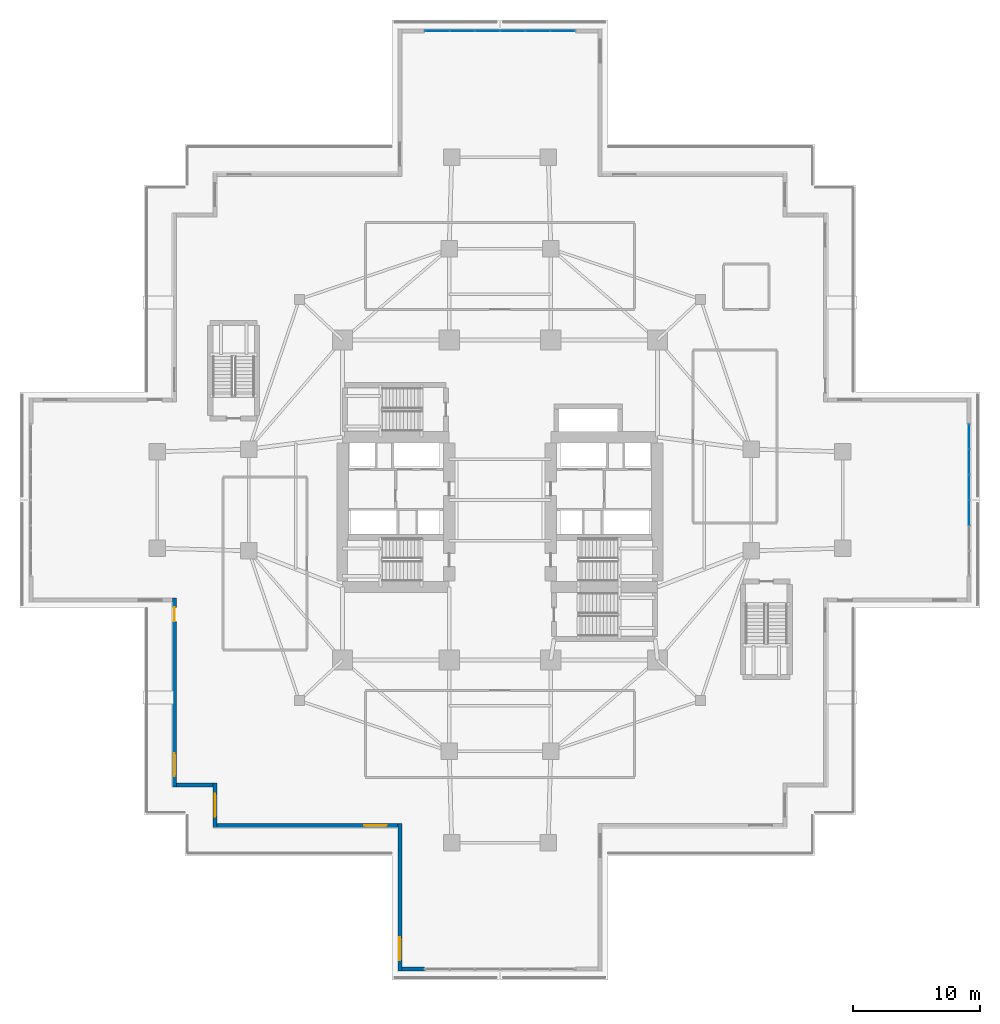
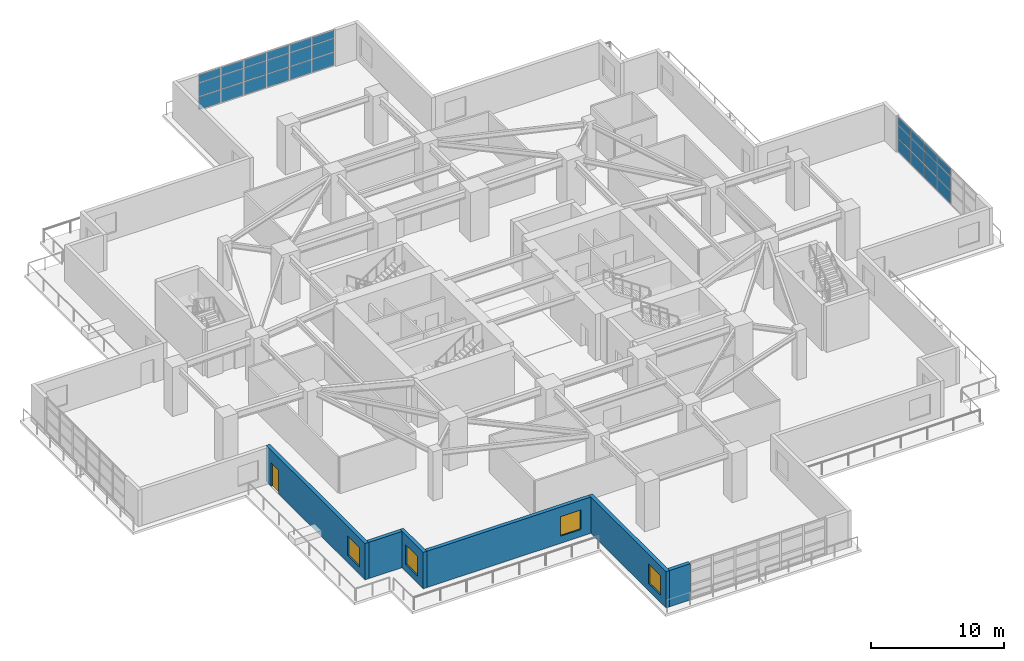
# One storey, part 14 of 24: 30 plates, 6 walls, 4 windows, 1 door, 5 openings, 2 elements without a shape of their own.
"""IFC4 building model written with IfcOpenShell, lengths in metres."""

from ifc_helpers import new_model, si_unit, direction, frame, frame_2d, origin, origin_2d, place, context, subcontext, project, spatial, rectangle, extrude, material, layer, layer_set, type_object, element, fill, aggregate, save


model = new_model("IFC4")

# Units and contexts
model_context = context("Model", 3, precision=1e-05, world=origin(), true_north=direction((0.0, 1.0)))
body_context = subcontext(model_context, "Body", "Model", "MODEL_VIEW")
ifc_project = project(units=[si_unit("LENGTHUNIT", "METRE"), si_unit("AREAUNIT", "SQUARE_METRE"), si_unit("VOLUMEUNIT", "CUBIC_METRE"), si_unit("PLANEANGLEUNIT", "RADIAN"), si_unit("MASSUNIT", "GRAM", prefix="KILO")], contexts=[model_context])

# Site, building, storey
site_placement = place(None, origin())
site = spatial("IfcSite", under=ifc_project, at=site_placement, CompositionType="ELEMENT")
building_placement = place(site_placement, origin())
building = spatial("IfcBuilding", under=site, at=building_placement, Name="Qingluan Cross Belvedere", CompositionType="ELEMENT")
storey_placement = place(building_placement, frame((0.0, 0.0, 14.699951171875)))
storey = spatial("IfcBuildingStorey", under=building, at=storey_placement, Name="L04", CompositionType="ELEMENT", Elevation=14.699951171875)

# Curtain wall, plates
ifc_material_1 = material(Name="Thermally broken aluminium and Low-E glass", Category="aluminium")
ifc_layer_1 = layer(ifc_material_1, 0.219970703125, Name="UnitisedCW_BallroomFoyer")
ifc_layer_set_1 = layer_set([ifc_layer_1], Name="Thermally broken aluminium and Low-E glass")
curtain_wall_type = type_object("IfcCurtainWallType", Name="UnitisedCW_BallroomFoyer", PredefinedType="USERDEFINED", material=ifc_layer_set_1)
curtain_wall_1_placement = place(storey_placement, origin())
curtain_wall_1 = element("IfcCurtainWall", 1, at=curtain_wall_1_placement, inside=storey, type_object=curtain_wall_type, Name="UnitisedCW_BallroomFoyer run env:cw:L04:N", ObjectType="UNITISED CURTAIN WALL", PredefinedType="USERDEFINED")
ifc_material_2 = material(Name="Ceramic-fritted insulated spandrel glass", Category="glass")
ifc_layer_2 = layer(ifc_material_2, 0.0439453125, Name="CWSpandrelPanel_44")
ifc_layer_set_2 = layer_set([ifc_layer_2], Name="Ceramic-fritted insulated spandrel glass")
plate_type = type_object("IfcPlateType", Name="CWSpandrelPanel_44", PredefinedType="CURTAIN_PANEL", material=ifc_layer_set_2)
plate_1_placement = place(storey_placement, frame((-4.9267578125, 36.93994140625, 0.06005859375), z_axis=(0.0, 0.0, 1.0), x_axis=(1.0, 0.0, 0.0)))
plate_1 = element("IfcPlate", 2, at=plate_1_placement, type_object=plate_type, Name="CW-P2 panel 1.1", PredefinedType="CURTAIN_PANEL", context=body_context, shape_type="SweptSolid", body=[
    extrude(rectangle(XDim=1.88671875, YDim=0.028076171875, at=origin_2d()), origin(), (0.0, 0.0, 1.0), 1.175048828125),
])
plate_2_placement = place(storey_placement, frame((-4.9267578125, 36.93994140625, 1.294921875), z_axis=(0.0, 0.0, 1.0), x_axis=(1.0, 0.0, 0.0)))
plate_2 = element("IfcPlate", 3, at=plate_2_placement, type_object=plate_type, Name="CW-P2 panel 1.2", PredefinedType="CURTAIN_PANEL", context=body_context, shape_type="SweptSolid", body=[
    extrude(rectangle(XDim=1.88671875, YDim=0.028076171875, at=origin_2d()), origin(), (0.0, 0.0, 1.0), 1.2060546875),
])
plate_3_placement = place(storey_placement, frame((-4.9267578125, 36.93994140625, 2.56103515625), z_axis=(0.0, 0.0, 1.0), x_axis=(1.0, 0.0, 0.0)))
plate_3 = element("IfcPlate", 4, at=plate_3_placement, type_object=plate_type, Name="CW-P2 panel 1.3", PredefinedType="CURTAIN_PANEL", context=body_context, shape_type="SweptSolid", body=[
    extrude(rectangle(XDim=1.88671875, YDim=0.028076171875, at=origin_2d()), origin(), (0.0, 0.0, 1.0), 0.708984375),
])
plate_4_placement = place(storey_placement, frame((-2.965087890625, 36.93994140625, 0.06005859375), z_axis=(0.0, 0.0, 1.0), x_axis=(1.0, 0.0, 0.0)))
plate_4 = element("IfcPlate", 5, at=plate_4_placement, type_object=plate_type, Name="CW-P2 panel 2.1", PredefinedType="CURTAIN_PANEL", context=body_context, shape_type="SweptSolid", body=[
    extrude(rectangle(XDim=1.916748046875, YDim=0.028076171875, at=origin_2d()), origin(), (0.0, 0.0, 1.0), 1.175048828125),
])
plate_5_placement = place(storey_placement, frame((-2.965087890625, 36.93994140625, 1.294921875), z_axis=(0.0, 0.0, 1.0), x_axis=(1.0, 0.0, 0.0)))
plate_5 = element("IfcPlate", 6, at=plate_5_placement, type_object=plate_type, Name="CW-P2 panel 2.2", PredefinedType="CURTAIN_PANEL", context=body_context, shape_type="SweptSolid", body=[
    extrude(rectangle(XDim=1.916748046875, YDim=0.028076171875, at=origin_2d()), origin(), (0.0, 0.0, 1.0), 1.2060546875),
])
plate_6_placement = place(storey_placement, frame((-2.965087890625, 36.93994140625, 2.56103515625), z_axis=(0.0, 0.0, 1.0), x_axis=(1.0, 0.0, 0.0)))
plate_6 = element("IfcPlate", 7, at=plate_6_placement, type_object=plate_type, Name="CW-P2 panel 2.3", PredefinedType="CURTAIN_PANEL", context=body_context, shape_type="SweptSolid", body=[
    extrude(rectangle(XDim=1.916748046875, YDim=0.028076171875, at=origin_2d()), origin(), (0.0, 0.0, 1.0), 0.708984375),
])
plate_7_placement = place(storey_placement, frame((-0.98828125, 36.93994140625, 0.06005859375), z_axis=(0.0, 0.0, 1.0), x_axis=(1.0, 0.0, 0.0)))
plate_7 = element("IfcPlate", 8, at=plate_7_placement, type_object=plate_type, Name="CW-P2 panel 3.1", PredefinedType="CURTAIN_PANEL", context=body_context, shape_type="SweptSolid", body=[
    extrude(rectangle(XDim=1.916748046875, YDim=0.028076171875, at=origin_2d()), origin(), (0.0, 0.0, 1.0), 1.175048828125),
])
plate_8_placement = place(storey_placement, frame((-0.98828125, 36.93994140625, 1.294921875), z_axis=(0.0, 0.0, 1.0), x_axis=(1.0, 0.0, 0.0)))
plate_8 = element("IfcPlate", 9, at=plate_8_placement, type_object=plate_type, Name="CW-P2 panel 3.2", PredefinedType="CURTAIN_PANEL", context=body_context, shape_type="SweptSolid", body=[
    extrude(rectangle(XDim=1.916748046875, YDim=0.028076171875, at=origin_2d()), origin(), (0.0, 0.0, 1.0), 1.2060546875),
])
plate_9_placement = place(storey_placement, frame((-0.98828125, 36.93994140625, 2.56103515625), z_axis=(0.0, 0.0, 1.0), x_axis=(1.0, 0.0, 0.0)))
plate_9 = element("IfcPlate", 10, at=plate_9_placement, type_object=plate_type, Name="CW-P2 panel 3.3", PredefinedType="CURTAIN_PANEL", context=body_context, shape_type="SweptSolid", body=[
    extrude(rectangle(XDim=1.916748046875, YDim=0.028076171875, at=origin_2d()), origin(), (0.0, 0.0, 1.0), 0.708984375),
])
plate_10_placement = place(storey_placement, frame((0.98828125, 36.93994140625, 0.06005859375), z_axis=(0.0, 0.0, 1.0), x_axis=(1.0, 0.0, 0.0)))
plate_10 = element("IfcPlate", 11, at=plate_10_placement, type_object=plate_type, Name="CW-P2 panel 4.1", PredefinedType="CURTAIN_PANEL", context=body_context, shape_type="SweptSolid", body=[
    extrude(rectangle(XDim=1.916748046875, YDim=0.028076171875, at=origin_2d()), origin(), (0.0, 0.0, 1.0), 1.175048828125),
])
plate_11_placement = place(storey_placement, frame((0.98828125, 36.93994140625, 1.294921875), z_axis=(0.0, 0.0, 1.0), x_axis=(1.0, 0.0, 0.0)))
plate_11 = element("IfcPlate", 12, at=plate_11_placement, type_object=plate_type, Name="CW-P2 panel 4.2", PredefinedType="CURTAIN_PANEL", context=body_context, shape_type="SweptSolid", body=[
    extrude(rectangle(XDim=1.916748046875, YDim=0.028076171875, at=origin_2d()), origin(), (0.0, 0.0, 1.0), 1.2060546875),
])
plate_12_placement = place(storey_placement, frame((0.98828125, 36.93994140625, 2.56103515625), z_axis=(0.0, 0.0, 1.0), x_axis=(1.0, 0.0, 0.0)))
plate_12 = element("IfcPlate", 13, at=plate_12_placement, type_object=plate_type, Name="CW-P2 panel 4.3", PredefinedType="CURTAIN_PANEL", context=body_context, shape_type="SweptSolid", body=[
    extrude(rectangle(XDim=1.916748046875, YDim=0.028076171875, at=origin_2d()), origin(), (0.0, 0.0, 1.0), 0.708984375),
])
plate_13_placement = place(storey_placement, frame((2.965087890625, 36.93994140625, 0.06005859375), z_axis=(0.0, 0.0, 1.0), x_axis=(1.0, 0.0, 0.0)))
plate_13 = element("IfcPlate", 14, at=plate_13_placement, type_object=plate_type, Name="CW-P2 panel 5.1", PredefinedType="CURTAIN_PANEL", context=body_context, shape_type="SweptSolid", body=[
    extrude(rectangle(XDim=1.916748046875, YDim=0.028076171875, at=origin_2d()), origin(), (0.0, 0.0, 1.0), 1.175048828125),
])
plate_14_placement = place(storey_placement, frame((2.965087890625, 36.93994140625, 1.294921875), z_axis=(0.0, 0.0, 1.0), x_axis=(1.0, 0.0, 0.0)))
plate_14 = element("IfcPlate", 15, at=plate_14_placement, type_object=plate_type, Name="CW-P2 panel 5.2", PredefinedType="CURTAIN_PANEL", context=body_context, shape_type="SweptSolid", body=[
    extrude(rectangle(XDim=1.916748046875, YDim=0.028076171875, at=origin_2d()), origin(), (0.0, 0.0, 1.0), 1.2060546875),
])
plate_15_placement = place(storey_placement, frame((2.965087890625, 36.93994140625, 2.56103515625), z_axis=(0.0, 0.0, 1.0), x_axis=(1.0, 0.0, 0.0)))
plate_15 = element("IfcPlate", 16, at=plate_15_placement, type_object=plate_type, Name="CW-P2 panel 5.3", PredefinedType="CURTAIN_PANEL", context=body_context, shape_type="SweptSolid", body=[
    extrude(rectangle(XDim=1.916748046875, YDim=0.028076171875, at=origin_2d()), origin(), (0.0, 0.0, 1.0), 0.708984375),
])
plate_16_placement = place(storey_placement, frame((4.9267578125, 36.93994140625, 0.06005859375), z_axis=(0.0, 0.0, 1.0), x_axis=(1.0, 0.0, 0.0)))
plate_16 = element("IfcPlate", 17, at=plate_16_placement, type_object=plate_type, Name="CW-P2 panel 6.1", PredefinedType="CURTAIN_PANEL", context=body_context, shape_type="SweptSolid", body=[
    extrude(rectangle(XDim=1.88671875, YDim=0.028076171875, at=origin_2d()), origin(), (0.0, 0.0, 1.0), 1.175048828125),
])
plate_17_placement = place(storey_placement, frame((4.9267578125, 36.93994140625, 1.294921875), z_axis=(0.0, 0.0, 1.0), x_axis=(1.0, 0.0, 0.0)))
plate_17 = element("IfcPlate", 18, at=plate_17_placement, type_object=plate_type, Name="CW-P2 panel 6.2", PredefinedType="CURTAIN_PANEL", context=body_context, shape_type="SweptSolid", body=[
    extrude(rectangle(XDim=1.88671875, YDim=0.028076171875, at=origin_2d()), origin(), (0.0, 0.0, 1.0), 1.2060546875),
])
plate_18_placement = place(storey_placement, frame((4.9267578125, 36.93994140625, 2.56103515625), z_axis=(0.0, 0.0, 1.0), x_axis=(1.0, 0.0, 0.0)))
plate_18 = element("IfcPlate", 19, at=plate_18_placement, type_object=plate_type, Name="CW-P2 panel 6.3", PredefinedType="CURTAIN_PANEL", context=body_context, shape_type="SweptSolid", body=[
    extrude(rectangle(XDim=1.88671875, YDim=0.028076171875, at=origin_2d()), origin(), (0.0, 0.0, 1.0), 0.708984375),
])
aggregate(curtain_wall_1, [plate_1, plate_2, plate_3, plate_4, plate_5, plate_6, plate_7, plate_8, plate_9, plate_10, plate_11, plate_12, plate_13, plate_14, plate_15, plate_16, plate_17, plate_18])

curtain_wall_2_placement = place(storey_placement, origin())
curtain_wall_2 = element("IfcCurtainWall", 20, at=curtain_wall_2_placement, inside=storey, type_object=curtain_wall_type, Name="UnitisedCW_BallroomFoyer run env:cw:L04:E", ObjectType="UNITISED CURTAIN WALL", PredefinedType="USERDEFINED")
plate_19_placement = place(storey_placement, frame((36.93994140625, 4.985107421875, 0.06005859375), z_axis=(0.0, 0.0, 1.0), x_axis=(0.0, -1.0, 0.0)))
plate_19 = element("IfcPlate", 21, at=plate_19_placement, type_object=plate_type, Name="CW-P2 panel 1.1", PredefinedType="CURTAIN_PANEL", context=body_context, shape_type="SweptSolid", body=[
    extrude(rectangle(XDim=1.909912109375, YDim=0.028076171875, at=origin_2d()), origin(), (0.0, 0.0, 1.0), 1.175048828125),
])
plate_20_placement = place(storey_placement, frame((36.93994140625, 4.985107421875, 1.294921875), z_axis=(0.0, 0.0, 1.0), x_axis=(0.0, -1.0, 0.0)))
plate_20 = element("IfcPlate", 22, at=plate_20_placement, type_object=plate_type, Name="CW-P2 panel 1.2", PredefinedType="CURTAIN_PANEL", context=body_context, shape_type="SweptSolid", body=[
    extrude(rectangle(XDim=1.909912109375, YDim=0.028076171875, at=origin_2d()), origin(), (0.0, 0.0, 1.0), 1.2060546875),
])
plate_21_placement = place(storey_placement, frame((36.93994140625, 4.985107421875, 2.56103515625), z_axis=(0.0, 0.0, 1.0), x_axis=(0.0, -1.0, 0.0)))
plate_21 = element("IfcPlate", 23, at=plate_21_placement, type_object=plate_type, Name="CW-P2 panel 1.3", PredefinedType="CURTAIN_PANEL", context=body_context, shape_type="SweptSolid", body=[
    extrude(rectangle(XDim=1.909912109375, YDim=0.028076171875, at=origin_2d()), origin(), (0.0, 0.0, 1.0), 0.708984375),
])
plate_22_placement = place(storey_placement, frame((36.93994140625, 3.0, 0.06005859375), z_axis=(0.0, 0.0, 1.0), x_axis=(0.0, -1.0, 0.0)))
plate_22 = element("IfcPlate", 24, at=plate_22_placement, type_object=plate_type, Name="CW-P2 panel 2.1", PredefinedType="CURTAIN_PANEL", context=body_context, shape_type="SweptSolid", body=[
    extrude(rectangle(XDim=1.93994140625, YDim=0.028076171875, at=origin_2d()), origin(), (0.0, 0.0, 1.0), 1.175048828125),
])
plate_23_placement = place(storey_placement, frame((36.93994140625, 3.0, 1.294921875), z_axis=(0.0, 0.0, 1.0), x_axis=(0.0, -1.0, 0.0)))
plate_23 = element("IfcPlate", 25, at=plate_23_placement, type_object=plate_type, Name="CW-P2 panel 2.2", PredefinedType="CURTAIN_PANEL", context=body_context, shape_type="SweptSolid", body=[
    extrude(rectangle(XDim=1.93994140625, YDim=0.028076171875, at=origin_2d()), origin(), (0.0, 0.0, 1.0), 1.2060546875),
])
plate_24_placement = place(storey_placement, frame((36.93994140625, 3.0, 2.56103515625), z_axis=(0.0, 0.0, 1.0), x_axis=(0.0, -1.0, 0.0)))
plate_24 = element("IfcPlate", 26, at=plate_24_placement, type_object=plate_type, Name="CW-P2 panel 2.3", PredefinedType="CURTAIN_PANEL", context=body_context, shape_type="SweptSolid", body=[
    extrude(rectangle(XDim=1.93994140625, YDim=0.028076171875, at=origin_2d()), origin(), (0.0, 0.0, 1.0), 0.708984375),
])
plate_25_placement = place(storey_placement, frame((36.93994140625, 1.0, 0.06005859375), z_axis=(0.0, 0.0, 1.0), x_axis=(0.0, -1.0, 0.0)))
plate_25 = element("IfcPlate", 27, at=plate_25_placement, type_object=plate_type, Name="CW-P2 panel 3.1", PredefinedType="CURTAIN_PANEL", context=body_context, shape_type="SweptSolid", body=[
    extrude(rectangle(XDim=1.93994140625, YDim=0.028076171875, at=origin_2d()), origin(), (0.0, 0.0, 1.0), 1.175048828125),
])
plate_26_placement = place(storey_placement, frame((36.93994140625, 1.0, 1.294921875), z_axis=(0.0, 0.0, 1.0), x_axis=(0.0, -1.0, 0.0)))
plate_26 = element("IfcPlate", 28, at=plate_26_placement, type_object=plate_type, Name="CW-P2 panel 3.2", PredefinedType="CURTAIN_PANEL", context=body_context, shape_type="SweptSolid", body=[
    extrude(rectangle(XDim=1.93994140625, YDim=0.028076171875, at=origin_2d()), origin(), (0.0, 0.0, 1.0), 1.2060546875),
])
plate_27_placement = place(storey_placement, frame((36.93994140625, 1.0, 2.56103515625), z_axis=(0.0, 0.0, 1.0), x_axis=(0.0, -1.0, 0.0)))
plate_27 = element("IfcPlate", 29, at=plate_27_placement, type_object=plate_type, Name="CW-P2 panel 3.3", PredefinedType="CURTAIN_PANEL", context=body_context, shape_type="SweptSolid", body=[
    extrude(rectangle(XDim=1.93994140625, YDim=0.028076171875, at=origin_2d()), origin(), (0.0, 0.0, 1.0), 0.708984375),
])
plate_28_placement = place(storey_placement, frame((36.93994140625, -1.0, 0.06005859375), z_axis=(0.0, 0.0, 1.0), x_axis=(0.0, -1.0, 0.0)))
plate_28 = element("IfcPlate", 30, at=plate_28_placement, type_object=plate_type, Name="CW-P2 panel 4.1", PredefinedType="CURTAIN_PANEL", context=body_context, shape_type="SweptSolid", body=[
    extrude(rectangle(XDim=1.93994140625, YDim=0.028076171875, at=origin_2d()), origin(), (0.0, 0.0, 1.0), 1.175048828125),
])
plate_29_placement = place(storey_placement, frame((36.93994140625, -1.0, 1.294921875), z_axis=(0.0, 0.0, 1.0), x_axis=(0.0, -1.0, 0.0)))
plate_29 = element("IfcPlate", 31, at=plate_29_placement, type_object=plate_type, Name="CW-P2 panel 4.2", PredefinedType="CURTAIN_PANEL", context=body_context, shape_type="SweptSolid", body=[
    extrude(rectangle(XDim=1.93994140625, YDim=0.028076171875, at=origin_2d()), origin(), (0.0, 0.0, 1.0), 1.2060546875),
])
plate_30_placement = place(storey_placement, frame((36.93994140625, -1.0, 2.56103515625), z_axis=(0.0, 0.0, 1.0), x_axis=(0.0, -1.0, 0.0)))
plate_30 = element("IfcPlate", 32, at=plate_30_placement, type_object=plate_type, Name="CW-P2 panel 4.3", PredefinedType="CURTAIN_PANEL", context=body_context, shape_type="SweptSolid", body=[
    extrude(rectangle(XDim=1.93994140625, YDim=0.028076171875, at=origin_2d()), origin(), (0.0, 0.0, 1.0), 0.708984375),
])
aggregate(curtain_wall_2, [plate_19, plate_20, plate_21, plate_22, plate_23, plate_24, plate_25, plate_26, plate_27, plate_28, plate_29, plate_30])

# Wall
ifc_material_3 = material(Name="Precast concrete C45", Category="concrete")
ifc_layer_3 = layer(ifc_material_3, 0.320068359375, Name="PrecastPodiumWall_320")
ifc_layer_set_3 = layer_set([ifc_layer_3], Name="Precast concrete C45")
wall_type = type_object("IfcWallType", Name="PrecastPodiumWall_320", PredefinedType="STANDARD", material=ifc_layer_set_3)
wall_1_placement = place(storey_placement, frame((-5.929931640625, -36.93994140625, 0.0), z_axis=(0.0, 0.0, 1.0), x_axis=(-1.0, 0.0, 0.0)))
element("IfcWall", 33, at=wall_1_placement, inside=storey, type_object=wall_type, Name="Podium portal pier L04-P1JB", PredefinedType="STANDARD", context=body_context, shape_type="SweptSolid", body=[
    extrude(rectangle(XDim=1.800048828125, YDim=0.320068359375, at=frame_2d((0.89990234375, 0.0))), origin(), (0.0, 0.0, 1.0), 3.330078125),
])

# Wall, opening, window
wall_2_placement = place(storey_placement, frame((-7.889892578125, -37.10009765625, 0.0), z_axis=(0.0, 0.0, 1.0), x_axis=(0.0, 1.0, 0.0)))
wall_2 = element("IfcWall", 34, at=wall_2_placement, inside=storey, type_object=wall_type, Name="Podium precast facade wall L04-S5", PredefinedType="STANDARD", context=body_context, shape_type="SweptSolid", body=[
    extrude(rectangle(XDim=11.6201171875, YDim=0.320068359375, at=frame_2d((5.81005859375, 0.0))), origin(), (0.0, 0.0, 1.0), 3.330078125),
])
opening_1_placement = place(wall_2_placement, frame((0.85009765625, 0.0, 0.64990234375)))
opening_1 = element("IfcOpeningElement", 35, at=opening_1_placement, cuts=wall_2, Name="Opening W-06", PredefinedType="OPENING", context=body_context, shape_type="SweptSolid", body=[
    extrude(rectangle(XDim=1.800048828125, YDim=1.800048828125, at=frame_2d((0.89990234375, 0.89990234375))), frame((0.0, 0.169921875, 0.0), z_axis=(0.0, -1.0, 0.0), x_axis=(1.0, 0.0, 0.0)), (0.0, 0.0, 1.0), 0.340087890625),
])
ifc_material_4 = material(Name="Thermally broken triple Low-E glass in aluminium frame", Category="aluminium")
window_type = type_object("IfcWindowType", Name="PodiumGalleryWin_1800x1800", PartitioningType="SINGLE_PANEL", PredefinedType="WINDOW", material=ifc_material_4)
window_1_placement = place(opening_1_placement, origin())
window_1 = element("IfcWindow", 36, at=window_1_placement, inside=storey, type_object=window_type, Name="Podium gallery window L04-S5", OverallHeight=1.800048828125, OverallWidth=1.800048828125, PartitioningType="SINGLE_PANEL", PredefinedType="WINDOW", context=body_context, shape_type="SweptSolid", body=[
    extrude(rectangle(XDim=1.800048828125, YDim=1.800048828125, at=frame_2d((0.89990234375, 0.89990234375))), frame((0.0, 0.030029296875, 0.0), z_axis=(0.0, -1.0, 0.0), x_axis=(1.0, 0.0, 0.0)), (0.0, 0.0, 1.0), 0.06005859375),
])
fill(opening_1, window_1)

wall_3_placement = place(storey_placement, frame((-8.050048828125, -25.639892578125, 0.0), z_axis=(0.0, 0.0, 1.0), x_axis=(-1.0, 0.0, 0.0)))
wall_3 = element("IfcWall", 37, at=wall_3_placement, inside=storey, type_object=wall_type, Name="Podium precast facade wall L04-S6", PredefinedType="STANDARD", context=body_context, shape_type="SweptSolid", body=[
    extrude(rectangle(XDim=14.22998046875, YDim=0.320068359375, at=frame_2d((7.114990234375, 0.0))), origin(), (0.0, 0.0, 1.0), 3.330078125),
])
opening_2_placement = place(wall_3_placement, frame((0.85009765625, 0.0, 0.64990234375)))
opening_2 = element("IfcOpeningElement", 38, at=opening_2_placement, cuts=wall_3, Name="Opening W-06", PredefinedType="OPENING", context=body_context, shape_type="SweptSolid", body=[
    extrude(rectangle(XDim=1.800048828125, YDim=1.800048828125, at=frame_2d((0.89990234375, 0.89990234375))), frame((0.0, 0.169921875, 0.0), z_axis=(0.0, -1.0, 0.0), x_axis=(1.0, 0.0, 0.0)), (0.0, 0.0, 1.0), 0.340087890625),
])
window_2_placement = place(opening_2_placement, origin())
window_2 = element("IfcWindow", 39, at=window_2_placement, inside=storey, type_object=window_type, Name="Podium gallery window L04-S6", OverallHeight=1.800048828125, OverallWidth=1.800048828125, PartitioningType="SINGLE_PANEL", PredefinedType="WINDOW", context=body_context, shape_type="SweptSolid", body=[
    extrude(rectangle(XDim=1.800048828125, YDim=1.800048828125, at=frame_2d((0.89990234375, 0.89990234375))), frame((0.0, 0.030029296875, 0.0), z_axis=(0.0, -1.0, 0.0), x_axis=(1.0, 0.0, 0.0)), (0.0, 0.0, 1.0), 0.06005859375),
])
fill(opening_2, window_2)

wall_4_placement = place(storey_placement, frame((-22.43994140625, -25.800048828125, 0.0), z_axis=(0.0, 0.0, 1.0), x_axis=(0.0, 1.0, 0.0)))
wall_4 = element("IfcWall", 40, at=wall_4_placement, inside=storey, type_object=wall_type, Name="Podium precast facade wall L04-S7", PredefinedType="STANDARD", context=body_context, shape_type="SweptSolid", body=[
    extrude(rectangle(XDim=3.52001953125, YDim=0.320068359375, at=frame_2d((1.760009765625, 0.0))), origin(), (0.0, 0.0, 1.0), 3.330078125),
])
opening_3_placement = place(wall_4_placement, frame((0.85009765625, 0.0, 0.64990234375)))
opening_3 = element("IfcOpeningElement", 41, at=opening_3_placement, cuts=wall_4, Name="Opening W-06", PredefinedType="OPENING", context=body_context, shape_type="SweptSolid", body=[
    extrude(rectangle(XDim=1.800048828125, YDim=1.800048828125, at=frame_2d((0.89990234375, 0.89990234375))), frame((0.0, 0.169921875, 0.0), z_axis=(0.0, -1.0, 0.0), x_axis=(1.0, 0.0, 0.0)), (0.0, 0.0, 1.0), 0.340087890625),
])
window_3_placement = place(opening_3_placement, origin())
window_3 = element("IfcWindow", 42, at=window_3_placement, inside=storey, type_object=window_type, Name="Podium gallery window L04-S7", OverallHeight=1.800048828125, OverallWidth=1.800048828125, PartitioningType="SINGLE_PANEL", PredefinedType="WINDOW", context=body_context, shape_type="SweptSolid", body=[
    extrude(rectangle(XDim=1.800048828125, YDim=1.800048828125, at=frame_2d((0.89990234375, 0.89990234375))), frame((0.0, 0.030029296875, 0.0), z_axis=(0.0, -1.0, 0.0), x_axis=(1.0, 0.0, 0.0)), (0.0, 0.0, 1.0), 0.06005859375),
])
fill(opening_3, window_3)

# Wall
wall_5_placement = place(storey_placement, frame((-22.60009765625, -22.43994140625, 0.0), z_axis=(0.0, 0.0, 1.0), x_axis=(-1.0, 0.0, 0.0)))
element("IfcWall", 43, at=wall_5_placement, inside=storey, type_object=wall_type, Name="Podium precast facade wall L04-S8", PredefinedType="STANDARD", context=body_context, shape_type="SweptSolid", body=[
    extrude(rectangle(XDim=2.8798828125, YDim=0.320068359375, at=frame_2d((1.43994140625, 0.0))), origin(), (0.0, 0.0, 1.0), 3.330078125),
])

# Wall, openings, window, door
wall_6_placement = place(storey_placement, frame((-25.639892578125, -22.60009765625, 0.0), z_axis=(0.0, 0.0, 1.0), x_axis=(0.0, 1.0, 0.0)))
wall_6 = element("IfcWall", 44, at=wall_6_placement, inside=storey, type_object=wall_type, Name="Podium precast facade wall L04-S9", PredefinedType="STANDARD", context=body_context, shape_type="SweptSolid", body=[
    extrude(rectangle(XDim=14.8701171875, YDim=0.320068359375, at=frame_2d((7.43505859375, 0.0))), origin(), (0.0, 0.0, 1.0), 3.330078125),
])
opening_4_placement = place(wall_6_placement, frame((0.85009765625, 0.0, 0.64990234375)))
opening_4 = element("IfcOpeningElement", 45, at=opening_4_placement, cuts=wall_6, Name="Opening W-06", PredefinedType="OPENING", context=body_context, shape_type="SweptSolid", body=[
    extrude(rectangle(XDim=1.800048828125, YDim=1.800048828125, at=frame_2d((0.89990234375, 0.89990234375))), frame((0.0, 0.169921875, 0.0), z_axis=(0.0, -1.0, 0.0), x_axis=(1.0, 0.0, 0.0)), (0.0, 0.0, 1.0), 0.340087890625),
])
opening_5_placement = place(wall_6_placement, frame((13.050048828125, 0.0, 0.0)))
opening_5 = element("IfcOpeningElement", 46, at=opening_5_placement, cuts=wall_6, Name="Opening TD-11", PredefinedType="OPENING", context=body_context, shape_type="SweptSolid", body=[
    extrude(rectangle(XDim=1.10009765625, YDim=2.14990234375, at=frame_2d((0.550048828125, 1.074951171875))), frame((0.0, 0.169921875, 0.0), z_axis=(0.0, -1.0, 0.0), x_axis=(1.0, 0.0, 0.0)), (0.0, 0.0, 1.0), 0.340087890625),
])
window_4_placement = place(opening_4_placement, origin())
window_4 = element("IfcWindow", 47, at=window_4_placement, inside=storey, type_object=window_type, Name="Podium gallery window L04-S9", OverallHeight=1.800048828125, OverallWidth=1.800048828125, PartitioningType="SINGLE_PANEL", PredefinedType="WINDOW", context=body_context, shape_type="SweptSolid", body=[
    extrude(rectangle(XDim=1.800048828125, YDim=1.800048828125, at=frame_2d((0.89990234375, 0.89990234375))), frame((0.0, 0.030029296875, 0.0), z_axis=(0.0, -1.0, 0.0), x_axis=(1.0, 0.0, 0.0)), (0.0, 0.0, 1.0), 0.06005859375),
])
fill(opening_4, window_4)
ifc_material_5 = material(Name="Thermally broken aluminium and Low-E glass", Category="aluminium")
door_type = type_object("IfcDoorType", Name="TerraceGlazedDoor_1100", OperationType="NOTDEFINED", PredefinedType="DOOR", material=ifc_material_5)
door_placement = place(opening_5_placement, origin())
door = element("IfcDoor", 48, at=door_placement, inside=storey, type_object=door_type, Name="Cascade terrace door L04-3", OperationType="SINGLE_SWING_RIGHT", OverallHeight=2.14990234375, OverallWidth=1.10009765625, PredefinedType="DOOR", context=body_context, shape_type="SweptSolid", body=[
    extrude(rectangle(XDim=1.10009765625, YDim=2.14990234375, at=frame_2d((0.550048828125, 1.074951171875))), frame((0.0, 0.02490234375, 0.0), z_axis=(0.0, -1.0, 0.0), x_axis=(1.0, 0.0, 0.0)), (0.0, 0.0, 1.0), 0.050048828125),
])
fill(opening_5, door)

save(model, "model.ifc")
